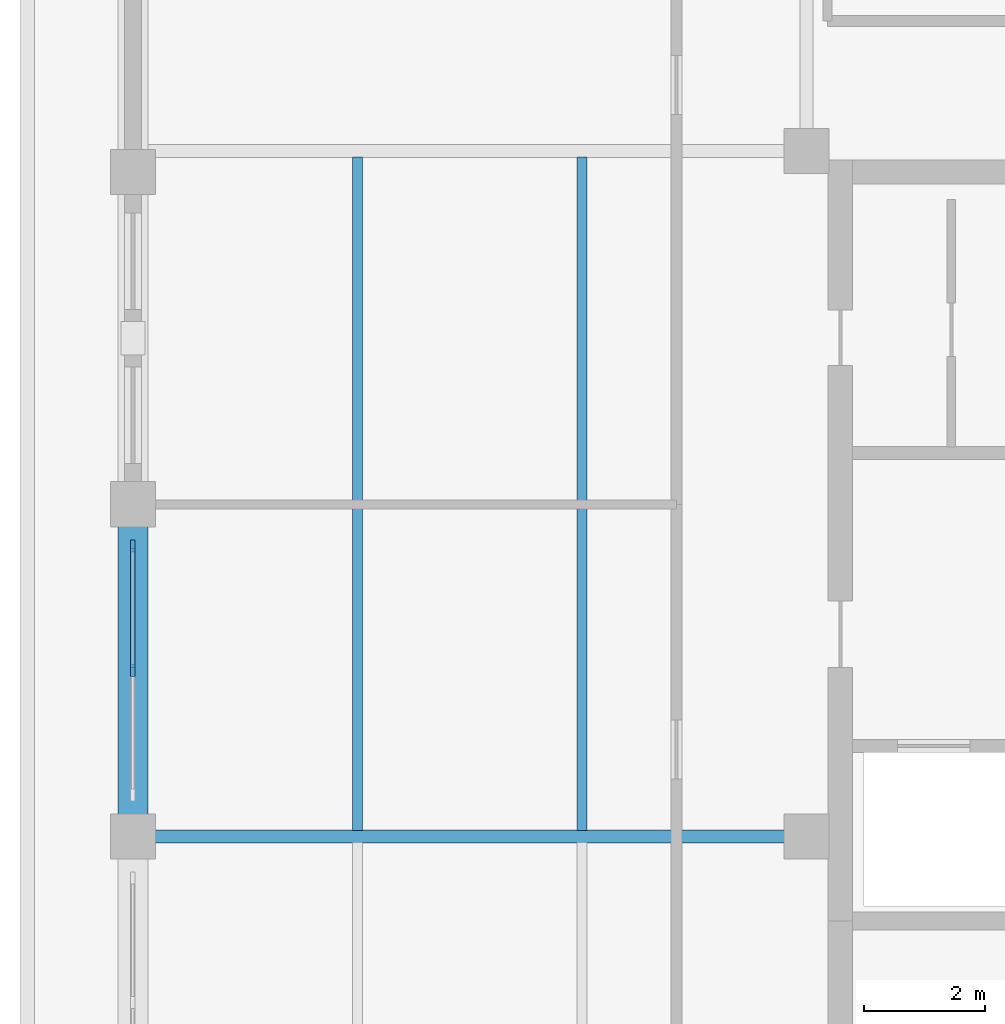
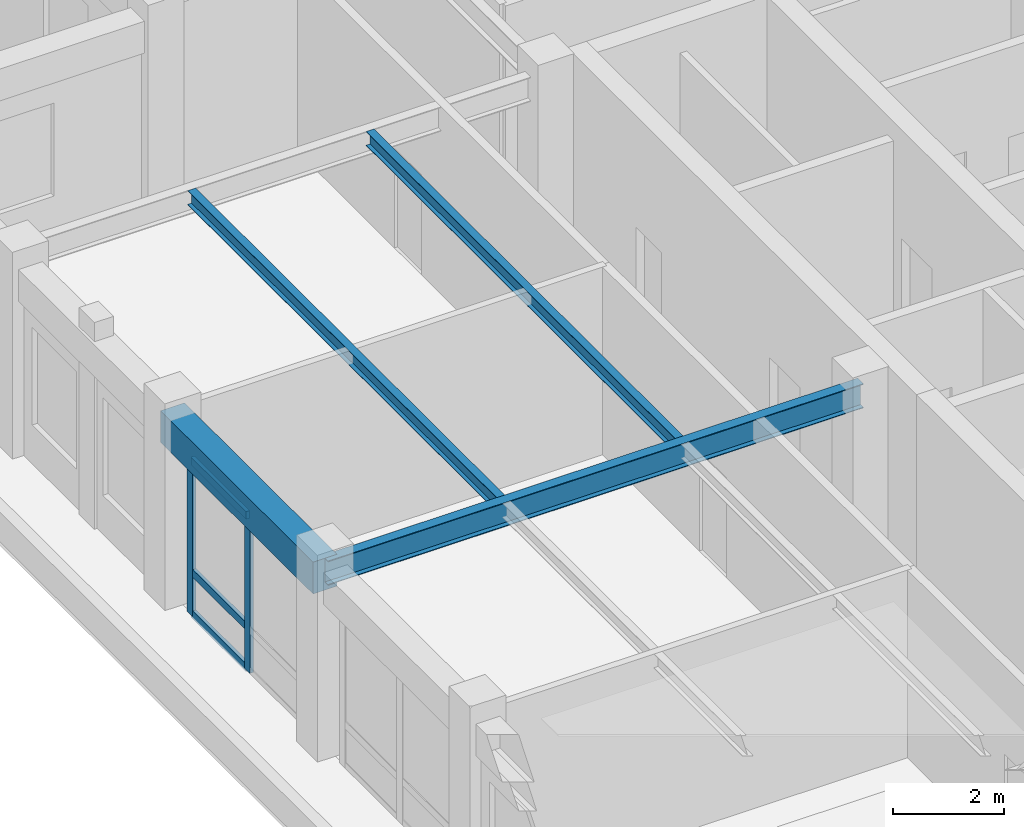
# One storey, part 3 of 13: 5 members, 4 beams, 1 element without a shape of its own.
"""IFC4 building model written with IfcOpenShell, lengths in metres."""

from ifc_helpers import new_model, si_unit, direction, frame, origin, origin_2d, place, context, subcontext, project, spatial, rectangle, i_section, extrude, material, layer, layer_set, material_profile, profile_set, type_object, element, aggregate, save


model = new_model("IFC4")

# Units and contexts
model_context = context("Model", 3, precision=1e-05, world=origin(), true_north=direction((0.0, 1.0)))
body_context = subcontext(model_context, "Body", "Model", "MODEL_VIEW")
ifc_project = project(units=[si_unit("LENGTHUNIT", "METRE"), si_unit("AREAUNIT", "SQUARE_METRE"), si_unit("VOLUMEUNIT", "CUBIC_METRE"), si_unit("PLANEANGLEUNIT", "RADIAN"), si_unit("MASSUNIT", "GRAM", prefix="KILO")], contexts=[model_context])

# Site, building, storey
site_placement = place(None, origin())
site = spatial("IfcSite", under=ifc_project, at=site_placement, CompositionType="ELEMENT")
building_placement = place(site_placement, origin())
building = spatial("IfcBuilding", under=site, at=building_placement, Name="Nhamokura Convention Tower", CompositionType="ELEMENT")
storey_placement = place(building_placement, frame((0.0, 0.0, 257.60009765625)))
storey = spatial("IfcBuildingStorey", under=building, at=storey_placement, Name="L63", CompositionType="ELEMENT", Elevation=257.60009765625)

# Curtain wall, members
ifc_material_1 = material(Name="Anodised bronze aluminium AA6063-T6", Category="aluminium")
ifc_layer = layer(ifc_material_1, 0.18994140625)
ifc_layer_set = layer_set([ifc_layer], Name="CWSystem_SkyLobby")
curtain_wall_type = type_object("IfcCurtainWallType", Name="CWSystem_SkyLobby", PredefinedType="NOTDEFINED", material=ifc_layer_set)
curtain_wall_placement = place(storey_placement, origin())
curtain_wall = element("IfcCurtainWall", 1, at=curtain_wall_placement, inside=storey, type_object=curtain_wall_type, Name="L63 Curtain Wall ENV-L63-CW-W3", PredefinedType="NOTDEFINED")
ifc_material_2 = material(Name="Anodised bronze aluminium AA6063-T6", Category="aluminium")
ifc_material_profile_1 = material_profile(ifc_material_2, rectangle(XDim=0.074951171875, YDim=0.199951171875, at=origin_2d()))
ifc_profile_set_1 = profile_set([ifc_material_profile_1], Name="Anodised bronze aluminium AA6063-T6")
member_type_1 = type_object("IfcMemberType", Name="CWMullion_2", PredefinedType="MULLION", material=ifc_profile_set_1)
member_1_placement = place(storey_placement, frame((9.5, 34.75, 0.0), z_axis=(0.0, 0.0, 1.0), x_axis=(-1.0, 0.0, 0.0)))
member_1 = element("IfcMember", 2, at=member_1_placement, type_object=member_type_1, Name="CW-06 mullion 2", PredefinedType="MULLION", context=body_context, shape_type="SweptSolid", body=[
    extrude(rectangle(XDim=0.074951171875, YDim=0.199951171875, at=origin_2d()), origin(), (0.0, 0.0, 1.0), 3.429931640625),
])
member_2_placement = place(storey_placement, frame((9.5, 36.8125, 0.0), z_axis=(0.0, 0.0, 1.0), x_axis=(-1.0, 0.0, 0.0)))
member_2 = element("IfcMember", 3, at=member_2_placement, type_object=member_type_1, Name="CW-06 mullion 3", PredefinedType="MULLION", context=body_context, shape_type="SweptSolid", body=[
    extrude(rectangle(XDim=0.074951171875, YDim=0.199951171875, at=origin_2d()), origin(), (0.0, 0.0, 1.0), 3.429931640625),
])
ifc_material_3 = material(Name="Anodised bronze aluminium AA6063-T6", Category="aluminium")
ifc_material_profile_2 = material_profile(ifc_material_3, rectangle(XDim=0.074951171875, YDim=0.169921875, at=origin_2d()))
ifc_profile_set_2 = profile_set([ifc_material_profile_2], Name="Anodised bronze aluminium AA6063-T6")
member_type_2 = type_object("IfcMemberType", Name="CWTransom_2", PredefinedType="USERDEFINED", material=ifc_profile_set_2)
member_3_placement = place(storey_placement, frame((9.5, 34.78759765625, 0.037353515625), z_axis=(0.0, 1.0, 0.0), x_axis=(-1.0, 0.0, 0.0)))
member_3 = element("IfcMember", 4, at=member_3_placement, type_object=member_type_2, Name="CW-06 transom 2.1", ObjectType="TRANSOM", PredefinedType="USERDEFINED", context=body_context, shape_type="SweptSolid", body=[
    extrude(rectangle(XDim=0.074951171875, YDim=0.169921875, at=origin_2d()), origin(), (0.0, 0.0, 1.0), 1.9873046875),
])
member_4_placement = place(storey_placement, frame((9.5, 34.78759765625, 0.949951171875), z_axis=(0.0, 1.0, 0.0), x_axis=(-1.0, 0.0, 0.0)))
member_4 = element("IfcMember", 5, at=member_4_placement, type_object=member_type_2, Name="CW-06 transom 2.2", ObjectType="TRANSOM", PredefinedType="USERDEFINED", context=body_context, shape_type="SweptSolid", body=[
    extrude(rectangle(XDim=0.074951171875, YDim=0.169921875, at=origin_2d()), origin(), (0.0, 0.0, 1.0), 1.9873046875),
])
member_5_placement = place(storey_placement, frame((9.5, 34.78759765625, 3.392333984375), z_axis=(0.0, 1.0, 0.0), x_axis=(-1.0, 0.0, 0.0)))
member_5 = element("IfcMember", 6, at=member_5_placement, type_object=member_type_2, Name="CW-06 transom 2.3", ObjectType="TRANSOM", PredefinedType="USERDEFINED", context=body_context, shape_type="SweptSolid", body=[
    extrude(rectangle(XDim=0.074951171875, YDim=0.169921875, at=origin_2d()), origin(), (0.0, 0.0, 1.0), 1.9873046875),
])
aggregate(curtain_wall, [member_1, member_2, member_3, member_4, member_5])

# Beams
ifc_material_4 = material(Name="Steel ASTM A992 Gr 50", Category="steel")
ifc_material_profile_3 = material_profile(ifc_material_4, i_section(OverallWidth=0.166015625, OverallDepth=0.31298828125, WebThickness=0.006591796875, FlangeThickness=0.01123046875, at=origin_2d()))
ifc_profile_set_3 = profile_set([ifc_material_profile_3], Name="Steel ASTM A992 Gr 50")
beam_type_1 = type_object("IfcBeamType", Name="FloorJoist_W310X45", PredefinedType="JOIST", material=ifc_profile_set_3)
for number, where, z_axis, x_axis, name in (
    (7, (13.216796875, 32.1025390625, 3.973388671875), (0.0, 1.0, 0.0), (-1.0, 0.0, 0.0), "L63 Composite Floor Joist W1B"),
    (8, (16.933349609375, 32.1025390625, 3.973388671875), (0.0, 1.0, 0.0), (-1.0, 0.0, 0.0), "L63 Composite Floor Joist W2B"),
):
    element("IfcBeam", number, at=place(storey_placement, frame(where, z_axis=z_axis, x_axis=x_axis)), inside=storey, type_object=beam_type_1, Name=name, PredefinedType="JOIST", context=body_context, shape_type="SweptSolid", body=[
        extrude(i_section(OverallWidth=0.166015625, OverallDepth=0.31298828125, WebThickness=0.006591796875, FlangeThickness=0.01123046875, at=origin_2d()), origin(), (0.0, 0.0, 1.0), 11.14501953125),
    ])
ifc_material_5 = material(Name="Steel ASTM A992 Gr 50", Category="steel")
ifc_material_profile_4 = material_profile(ifc_material_5, i_section(OverallWidth=0.208984375, OverallDepth=0.532958984375, WebThickness=0.01025390625, FlangeThickness=0.015625, at=origin_2d()))
ifc_profile_set_4 = profile_set([ifc_material_profile_4], Name="Steel ASTM A992 Gr 50")
beam_type_2 = type_object("IfcBeamType", Name="PrimaryGirder_W530X92", PredefinedType="BEAM", material=ifc_profile_set_4)
beam_1_placement = place(storey_placement, frame((9.5, 32.0, 3.86328125), z_axis=(1.0, 0.0, 0.0), x_axis=(0.0, 1.0, 0.0)))
element("IfcBeam", 9, at=beam_1_placement, inside=storey, type_object=beam_type_2, Name="L63 Primary Floor Girder PG-W2", PredefinedType="BEAM", context=body_context, shape_type="SweptSolid", body=[
    extrude(i_section(OverallWidth=0.208984375, OverallDepth=0.532958984375, WebThickness=0.01025390625, FlangeThickness=0.015625, at=origin_2d()), origin(), (0.0, 0.0, 1.0), 11.14990234375),
])
ifc_material_6 = material(Name="Concrete C50/60", Category="concrete")
ifc_material_profile_5 = material_profile(ifc_material_6, rectangle(XDim=0.5, YDim=0.699951171875, at=origin_2d()))
ifc_profile_set_5 = profile_set([ifc_material_profile_5], Name="Concrete C50/60")
beam_type_3 = type_object("IfcBeamType", Name="TubeSpandrel_700", PredefinedType="SPANDREL", material=ifc_profile_set_5)
beam_2_placement = place(storey_placement, frame((9.5, 32.0, 3.77978515625), z_axis=(0.0, 1.0, 0.0), x_axis=(-1.0, 0.0, 0.0)))
element("IfcBeam", 10, at=beam_2_placement, inside=storey, type_object=beam_type_3, Name="L63 Perimeter Spandrel WEST 4", PredefinedType="SPANDREL", context=body_context, shape_type="SweptSolid", body=[
    extrude(rectangle(XDim=0.5, YDim=0.699951171875, at=origin_2d()), origin(), (0.0, 0.0, 1.0), 5.5),
])

save(model, "model.ifc")
